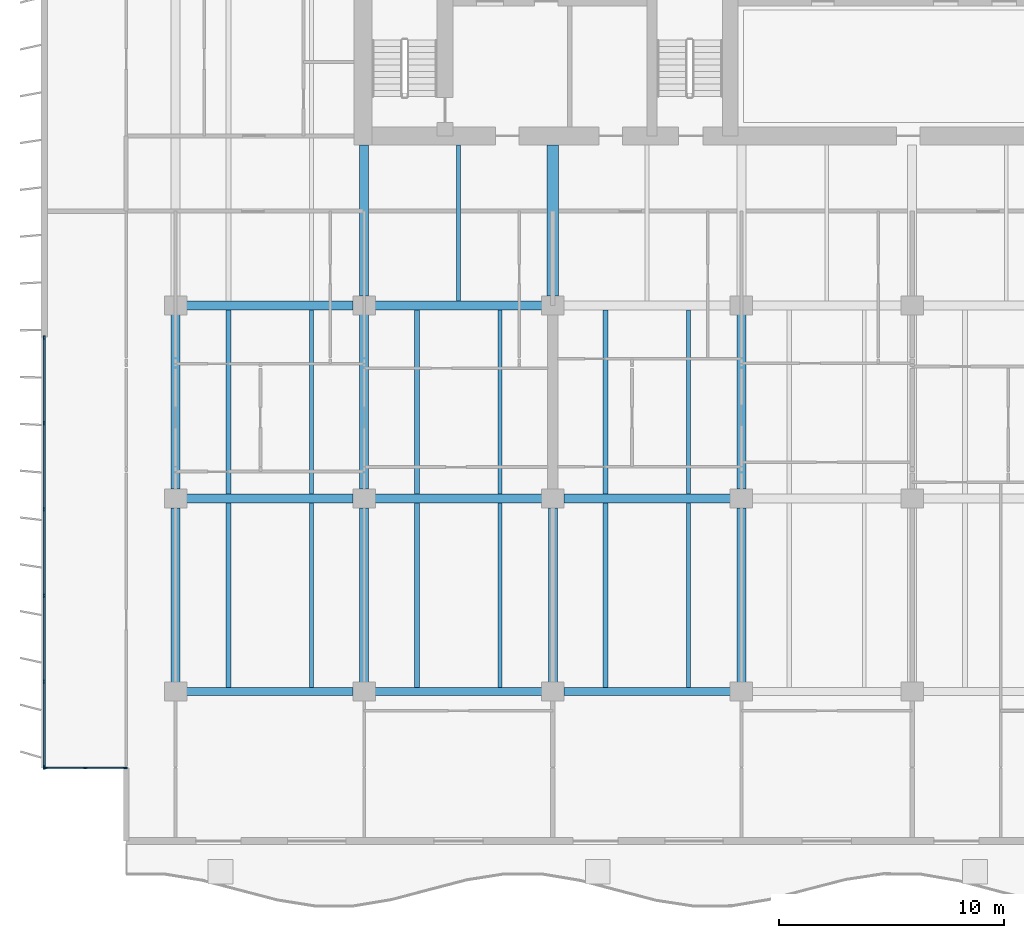
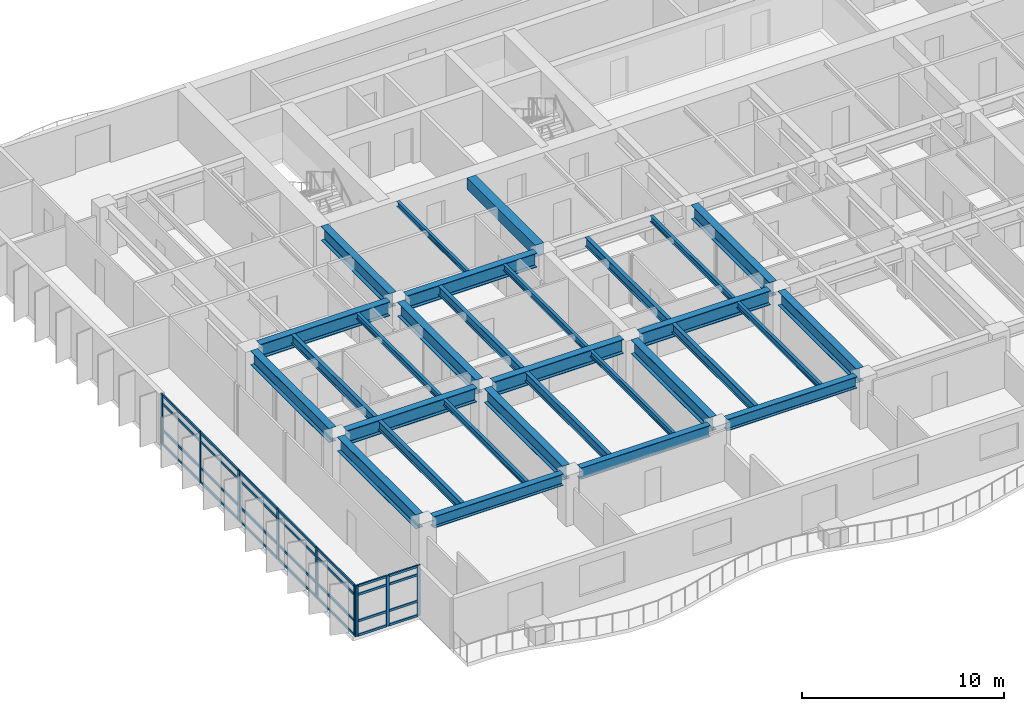
# One storey, part 2 of 19: 37 members, 30 beams, 2 elements without a shape of their own.
"""IFC4 building model written with IfcOpenShell, lengths in metres."""

from ifc_helpers import new_model, si_unit, direction, frame, origin, origin_2d, place, context, subcontext, project, spatial, rectangle, i_section, extrude, material, layer, layer_set, material_profile, profile_set, type_object, element, aggregate, save


model = new_model("IFC4")

# Units and contexts
model_context = context("Model", 3, precision=1e-05, world=origin(), true_north=direction((0.0, 1.0)))
body_context = subcontext(model_context, "Body", "Model", "MODEL_VIEW")
ifc_project = project(units=[si_unit("LENGTHUNIT", "METRE"), si_unit("AREAUNIT", "SQUARE_METRE"), si_unit("VOLUMEUNIT", "CUBIC_METRE"), si_unit("PLANEANGLEUNIT", "RADIAN"), si_unit("MASSUNIT", "GRAM", prefix="KILO")], contexts=[model_context])

# Site, building, storey
site_placement = place(None, origin())
site = spatial("IfcSite", under=ifc_project, at=site_placement, CompositionType="ELEMENT")
building_placement = place(site_placement, origin())
building = spatial("IfcBuilding", under=site, at=building_placement, Name="Caelmar Bay Residences", CompositionType="ELEMENT")
storey_placement = place(building_placement, frame((0.0, 0.0, 112.5)))
storey = spatial("IfcBuildingStorey", under=building, at=storey_placement, Name="L30", CompositionType="ELEMENT", Elevation=112.5)

# Beams
ifc_material_1 = material(Name="Steel ASTM A992 Grade 50", Category="steel")
ifc_material_profile_1 = material_profile(ifc_material_1, i_section(OverallWidth=0.40087890625, OverallDepth=0.861083984375, WebThickness=0.019775390625, FlangeThickness=0.032470703125, FilletRadius=0.017822265625, at=origin_2d()), Name="W33X221")
ifc_profile_set_1 = profile_set([ifc_material_profile_1], Name="Steel ASTM A992 Grade 50")
beam_type_1 = type_object("IfcBeamType", Name="BM-GRD-W33X221", PredefinedType="BEAM", material=ifc_profile_set_1)
beam_1_placement = place(storey_placement, frame((10.389892578125, 20.800048828125, 2.619384765625), z_axis=(1.0, 0.0, 0.0), x_axis=(0.0, 1.0, 0.0)))
element("IfcBeam", 1, at=beam_1_placement, inside=storey, type_object=beam_type_1, Name="L30 East-West Girder Y=20.80 (9.9-18.3)", PredefinedType="BEAM", context=body_context, shape_type="SweptSolid", body=[
    extrude(i_section(OverallWidth=0.40087890625, OverallDepth=0.861083984375, WebThickness=0.019775390625, FlangeThickness=0.032470703125, FilletRadius=0.017822265625, at=origin_2d()), origin(), (0.0, 0.0, 1.0), 7.420166015625),
])
beam_2_placement = place(storey_placement, frame((18.7900390625, 20.800048828125, 2.619384765625), z_axis=(1.0, 0.0, 0.0), x_axis=(0.0, 1.0, 0.0)))
element("IfcBeam", 2, at=beam_2_placement, inside=storey, type_object=beam_type_1, Name="L30 East-West Girder Y=20.80 (18.3-26.7)", PredefinedType="BEAM", context=body_context, shape_type="SweptSolid", body=[
    extrude(i_section(OverallWidth=0.40087890625, OverallDepth=0.861083984375, WebThickness=0.019775390625, FlangeThickness=0.032470703125, FilletRadius=0.017822265625, at=origin_2d()), origin(), (0.0, 0.0, 1.0), 7.419921875),
])
for number, where, z_axis, x_axis, name in (
    (3, (27.18994140625, 20.800048828125, 2.619384765625), (1.0, 0.0, 0.0), (0.0, 1.0, 0.0), "L30 East-West Girder Y=20.80 (26.7-35.1)"),
    (4, (10.389892578125, 29.39990234375, 2.619384765625), (1.0, 0.0, 0.0), (0.0, 1.0, 0.0), "L30 East-West Girder Y=29.40 (9.9-18.3)"),
):
    element("IfcBeam", number, at=place(storey_placement, frame(where, z_axis=z_axis, x_axis=x_axis)), inside=storey, type_object=beam_type_1, Name=name, PredefinedType="BEAM", context=body_context, shape_type="SweptSolid", body=[
        extrude(i_section(OverallWidth=0.40087890625, OverallDepth=0.861083984375, WebThickness=0.019775390625, FlangeThickness=0.032470703125, FilletRadius=0.017822265625, at=origin_2d()), origin(), (0.0, 0.0, 1.0), 7.420166015625),
    ])
beam_3_placement = place(storey_placement, frame((18.7900390625, 29.39990234375, 2.619384765625), z_axis=(1.0, 0.0, 0.0), x_axis=(0.0, 1.0, 0.0)))
element("IfcBeam", 5, at=beam_3_placement, inside=storey, type_object=beam_type_1, Name="L30 East-West Girder Y=29.40 (18.3-26.7)", PredefinedType="BEAM", context=body_context, shape_type="SweptSolid", body=[
    extrude(i_section(OverallWidth=0.40087890625, OverallDepth=0.861083984375, WebThickness=0.019775390625, FlangeThickness=0.032470703125, FilletRadius=0.017822265625, at=origin_2d()), origin(), (0.0, 0.0, 1.0), 7.419921875),
])
for number, where, z_axis, x_axis, name in (
    (6, (9.89990234375, 12.614990234375, 2.619384765625), (0.0, 1.0, 0.0), (-1.0, 0.0, 0.0), "L30 North-South Girder X=9.90 (12.2-20.8)"),
    (7, (9.89990234375, 21.215087890625, 2.619384765625), (0.0, 1.0, 0.0), (-1.0, 0.0, 0.0), "L30 North-South Girder X=9.90 (20.8-29.4)"),
):
    element("IfcBeam", number, at=place(storey_placement, frame(where, z_axis=z_axis, x_axis=x_axis)), inside=storey, type_object=beam_type_1, Name=name, PredefinedType="BEAM", context=body_context, shape_type="SweptSolid", body=[
        extrude(i_section(OverallWidth=0.40087890625, OverallDepth=0.861083984375, WebThickness=0.019775390625, FlangeThickness=0.032470703125, FilletRadius=0.017822265625, at=origin_2d()), origin(), (0.0, 0.0, 1.0), 7.77001953125),
    ])
beam_4_placement = place(storey_placement, frame((18.300048828125, 29.81494140625, 2.619384765625), z_axis=(0.0, 1.0, 0.0), x_axis=(-1.0, 0.0, 0.0)))
element("IfcBeam", 8, at=beam_4_placement, inside=storey, type_object=beam_type_1, Name="L30 Core Tie Girder X=18.30", PredefinedType="BEAM", context=body_context, shape_type="SweptSolid", body=[
    extrude(i_section(OverallWidth=0.40087890625, OverallDepth=0.861083984375, WebThickness=0.019775390625, FlangeThickness=0.032470703125, FilletRadius=0.017822265625, at=origin_2d()), origin(), (0.0, 0.0, 1.0), 6.735107421875),
])
for number, where, z_axis, x_axis, name in (
    (9, (18.300048828125, 12.614990234375, 2.619384765625), (0.0, 1.0, 0.0), (-1.0, 0.0, 0.0), "L30 North-South Girder X=18.30 (12.2-20.8)"),
    (10, (18.300048828125, 21.215087890625, 2.619384765625), (0.0, 1.0, 0.0), (-1.0, 0.0, 0.0), "L30 North-South Girder X=18.30 (20.8-29.4)"),
    (11, (26.699951171875, 12.614990234375, 2.619384765625), (0.0, 1.0, 0.0), (-1.0, 0.0, 0.0), "L30 North-South Girder X=26.70 (12.2-20.8)"),
    (12, (35.10009765625, 12.614990234375, 2.619384765625), (0.0, 1.0, 0.0), (-1.0, 0.0, 0.0), "L30 North-South Girder X=35.10 (12.2-20.8)"),
    (13, (35.10009765625, 21.215087890625, 2.619384765625), (0.0, 1.0, 0.0), (-1.0, 0.0, 0.0), "L30 North-South Girder X=35.10 (20.8-29.4)"),
):
    element("IfcBeam", number, at=place(storey_placement, frame(where, z_axis=z_axis, x_axis=x_axis)), inside=storey, type_object=beam_type_1, Name=name, PredefinedType="BEAM", context=body_context, shape_type="SweptSolid", body=[
        extrude(i_section(OverallWidth=0.40087890625, OverallDepth=0.861083984375, WebThickness=0.019775390625, FlangeThickness=0.032470703125, FilletRadius=0.017822265625, at=origin_2d()), origin(), (0.0, 0.0, 1.0), 7.77001953125),
    ])
ifc_material_profile_2 = material_profile(ifc_material_1, i_section(OverallWidth=0.1650390625, OverallDepth=0.31005859375, WebThickness=0.005859375, FlangeThickness=0.009765625, FilletRadius=0.007568359375, at=origin_2d()), Name="W12X26")
ifc_profile_set_2 = profile_set([ifc_material_profile_2], Name="Steel ASTM A992 Grade 50")
beam_type_2 = type_object("IfcBeamType", Name="BM-JST-W12X26", PredefinedType="JOIST", material=ifc_profile_set_2)
beam_5_placement = place(storey_placement, frame((22.5, 29.6005859375, 2.89501953125), z_axis=(0.0, 1.0, 0.0), x_axis=(-1.0, 0.0, 0.0)))
element("IfcBeam", 14, at=beam_5_placement, inside=storey, type_object=beam_type_2, Name="L30 Core-Band Composite Joist 29", PredefinedType="JOIST", context=body_context, shape_type="SweptSolid", body=[
    extrude(i_section(OverallWidth=0.1650390625, OverallDepth=0.31005859375, WebThickness=0.005859375, FlangeThickness=0.009765625, FilletRadius=0.007568359375, at=origin_2d()), origin(), (0.0, 0.0, 1.0), 6.949462890625),
])
ifc_material_profile_3 = material_profile(ifc_material_1, i_section(OverallWidth=0.1708984375, OverallDepth=0.35595703125, WebThickness=0.007080078125, FlangeThickness=0.01171875, FilletRadius=0.007568359375, at=origin_2d()), Name="W14X34")
ifc_profile_set_3 = profile_set([ifc_material_profile_3], Name="Steel ASTM A992 Grade 50")
beam_type_3 = type_object("IfcBeamType", Name="BM-JST-W14X34", PredefinedType="JOIST", material=ifc_profile_set_3)
for number, where, z_axis, x_axis, name in (
    (15, (15.947998046875, 12.3779296875, 2.8720703125), (0.0, 1.0, 0.0), (-1.0, 0.0, 0.0), "L30 Composite Floor Joist 2"),
    (16, (24.347900390625, 12.3779296875, 2.8720703125), (0.0, 1.0, 0.0), (-1.0, 0.0, 0.0), "L30 Composite Floor Joist 4"),
    (17, (32.748046875, 12.3779296875, 2.8720703125), (0.0, 1.0, 0.0), (-1.0, 0.0, 0.0), "L30 Composite Floor Joist 6"),
):
    element("IfcBeam", number, at=place(storey_placement, frame(where, z_axis=z_axis, x_axis=x_axis)), inside=storey, type_object=beam_type_3, Name=name, PredefinedType="JOIST", context=body_context, shape_type="SweptSolid", body=[
        extrude(i_section(OverallWidth=0.1708984375, OverallDepth=0.35595703125, WebThickness=0.007080078125, FlangeThickness=0.01171875, FilletRadius=0.007568359375, at=origin_2d()), origin(), (0.0, 0.0, 1.0), 8.2216796875),
    ])
for number, where, z_axis, x_axis, name in (
    (18, (15.947998046875, 21.00048828125, 2.8720703125), (0.0, 1.0, 0.0), (-1.0, 0.0, 0.0), "L30 Composite Floor Joist 16"),
    (19, (24.347900390625, 21.00048828125, 2.8720703125), (0.0, 1.0, 0.0), (-1.0, 0.0, 0.0), "L30 Composite Floor Joist 18"),
    (20, (32.748046875, 21.00048828125, 2.8720703125), (0.0, 1.0, 0.0), (-1.0, 0.0, 0.0), "L30 Composite Floor Joist 20"),
):
    element("IfcBeam", number, at=place(storey_placement, frame(where, z_axis=z_axis, x_axis=x_axis)), inside=storey, type_object=beam_type_3, Name=name, PredefinedType="JOIST", context=body_context, shape_type="SweptSolid", body=[
        extrude(i_section(OverallWidth=0.1708984375, OverallDepth=0.35595703125, WebThickness=0.007080078125, FlangeThickness=0.01171875, FilletRadius=0.007568359375, at=origin_2d()), origin(), (0.0, 0.0, 1.0), 8.198974609375),
    ])
ifc_material_profile_4 = material_profile(ifc_material_1, i_section(OverallWidth=0.214111328125, OverallDepth=0.549072265625, WebThickness=0.0146484375, FlangeThickness=0.023681640625, FilletRadius=0.0126953125, at=origin_2d()), Name="W21X93")
ifc_profile_set_4 = profile_set([ifc_material_profile_4], Name="Steel ASTM A992 Grade 50")
beam_type_4 = type_object("IfcBeamType", Name="BM-JST-W21X93", PredefinedType="JOIST", material=ifc_profile_set_4)
for number, where, z_axis, x_axis, name in (
    (21, (12.251953125, 12.3779296875, 2.775390625), (0.0, 1.0, 0.0), (-1.0, 0.0, 0.0), "L30 Composite Floor Joist 1"),
    (22, (20.652099609375, 12.3779296875, 2.775390625), (0.0, 1.0, 0.0), (-1.0, 0.0, 0.0), "L30 Composite Floor Joist 3"),
    (23, (29.052001953125, 12.3779296875, 2.775390625), (0.0, 1.0, 0.0), (-1.0, 0.0, 0.0), "L30 Composite Floor Joist 5"),
):
    element("IfcBeam", number, at=place(storey_placement, frame(where, z_axis=z_axis, x_axis=x_axis)), inside=storey, type_object=beam_type_4, Name=name, PredefinedType="JOIST", context=body_context, shape_type="SweptSolid", body=[
        extrude(i_section(OverallWidth=0.214111328125, OverallDepth=0.549072265625, WebThickness=0.0146484375, FlangeThickness=0.023681640625, FilletRadius=0.0126953125, at=origin_2d()), origin(), (0.0, 0.0, 1.0), 8.2216796875),
    ])
for number, where, z_axis, x_axis, name in (
    (24, (12.251953125, 21.00048828125, 2.775390625), (0.0, 1.0, 0.0), (-1.0, 0.0, 0.0), "L30 Composite Floor Joist 15"),
    (25, (20.652099609375, 21.00048828125, 2.775390625), (0.0, 1.0, 0.0), (-1.0, 0.0, 0.0), "L30 Composite Floor Joist 17"),
    (26, (29.052001953125, 21.00048828125, 2.775390625), (0.0, 1.0, 0.0), (-1.0, 0.0, 0.0), "L30 Composite Floor Joist 19"),
):
    element("IfcBeam", number, at=place(storey_placement, frame(where, z_axis=z_axis, x_axis=x_axis)), inside=storey, type_object=beam_type_4, Name=name, PredefinedType="JOIST", context=body_context, shape_type="SweptSolid", body=[
        extrude(i_section(OverallWidth=0.214111328125, OverallDepth=0.549072265625, WebThickness=0.0146484375, FlangeThickness=0.023681640625, FilletRadius=0.0126953125, at=origin_2d()), origin(), (0.0, 0.0, 1.0), 8.198974609375),
    ])
ifc_material_2 = material(Name="Concrete f'c 55 MPa (8,000 psi)", Category="concrete")
ifc_material_profile_5 = material_profile(ifc_material_2, rectangle(XDim=0.5, YDim=0.699951171875, at=origin_2d()), Name="RC-BM-500X700")
ifc_profile_set_5 = profile_set([ifc_material_profile_5], Name="Concrete f'c 55 MPa (8,000 psi)")
beam_type_5 = type_object("IfcBeamType", Name="BM-RC-500X700", PredefinedType="LINTEL", material=ifc_profile_set_5)
beam_6_placement = place(storey_placement, frame((26.699951171875, 29.81494140625, 2.699951171875), z_axis=(0.0, 1.0, 0.0), x_axis=(-1.0, 0.0, 0.0)))
element("IfcBeam", 27, at=beam_6_placement, inside=storey, type_object=beam_type_5, Name="L30 Shear-Wall Corridor Coupling Lintel W5", PredefinedType="LINTEL", context=body_context, shape_type="SweptSolid", body=[
    extrude(rectangle(XDim=0.5, YDim=0.699951171875, at=origin_2d()), origin(), (0.0, 0.0, 1.0), 6.735107421875),
])
ifc_material_profile_6 = material_profile(ifc_material_1, i_section(OverallWidth=0.35595703125, OverallDepth=0.696044921875, WebThickness=0.015380859375, FlangeThickness=0.02490234375, FilletRadius=0.01513671875, at=origin_2d()), Name="W27X146")
ifc_profile_set_6 = profile_set([ifc_material_profile_6], Name="Steel ASTM A992 Grade 50")
beam_type_6 = type_object("IfcBeamType", Name="BM-SPN-W27X146", PredefinedType="SPANDREL", material=ifc_profile_set_6)
beam_7_placement = place(storey_placement, frame((10.389892578125, 12.199951171875, 2.701904296875), z_axis=(1.0, 0.0, 0.0), x_axis=(0.0, 1.0, 0.0)))
element("IfcBeam", 28, at=beam_7_placement, inside=storey, type_object=beam_type_6, Name="L30 East-West Girder Y=12.20 (9.9-18.3)", PredefinedType="SPANDREL", context=body_context, shape_type="SweptSolid", body=[
    extrude(i_section(OverallWidth=0.35595703125, OverallDepth=0.696044921875, WebThickness=0.015380859375, FlangeThickness=0.02490234375, FilletRadius=0.01513671875, at=origin_2d()), origin(), (0.0, 0.0, 1.0), 7.420166015625),
])
beam_8_placement = place(storey_placement, frame((18.7900390625, 12.199951171875, 2.701904296875), z_axis=(1.0, 0.0, 0.0), x_axis=(0.0, 1.0, 0.0)))
element("IfcBeam", 29, at=beam_8_placement, inside=storey, type_object=beam_type_6, Name="L30 East-West Girder Y=12.20 (18.3-26.7)", PredefinedType="SPANDREL", context=body_context, shape_type="SweptSolid", body=[
    extrude(i_section(OverallWidth=0.35595703125, OverallDepth=0.696044921875, WebThickness=0.015380859375, FlangeThickness=0.02490234375, FilletRadius=0.01513671875, at=origin_2d()), origin(), (0.0, 0.0, 1.0), 7.419921875),
])
beam_9_placement = place(storey_placement, frame((27.18994140625, 12.199951171875, 2.701904296875), z_axis=(1.0, 0.0, 0.0), x_axis=(0.0, 1.0, 0.0)))
element("IfcBeam", 30, at=beam_9_placement, inside=storey, type_object=beam_type_6, Name="L30 East-West Girder Y=12.20 (26.7-35.1)", PredefinedType="SPANDREL", context=body_context, shape_type="SweptSolid", body=[
    extrude(i_section(OverallWidth=0.35595703125, OverallDepth=0.696044921875, WebThickness=0.015380859375, FlangeThickness=0.02490234375, FilletRadius=0.01513671875, at=origin_2d()), origin(), (0.0, 0.0, 1.0), 7.420166015625),
])

# Curtain wall, members
ifc_material_3 = material(Name="Anodised bronze aluminium 6063-T6 and laminated glass", Category="aluminium")
ifc_layer_1 = layer(ifc_material_3, 0.179931640625)
ifc_layer_set_1 = layer_set([ifc_layer_1], Name="Anodised bronze aluminium 6063-T6 and laminated glass")
curtain_wall_type_1 = type_object("IfcCurtainWallType", Name="CW6-NTC", PredefinedType="NOTDEFINED", material=ifc_layer_set_1)
curtain_wall_1_placement = place(storey_placement, origin())
curtain_wall_1 = element("IfcCurtainWall", 31, at=curtain_wall_1_placement, inside=storey, type_object=curtain_wall_type_1, Name="CW6 curtain wall L30", PredefinedType="NOTDEFINED")
ifc_material_4 = material(Name="Anodised bronze aluminium 6063-T6", Category="aluminium")
ifc_material_profile_7 = material_profile(ifc_material_4, rectangle(XDim=0.080078125, YDim=0.179931640625, at=origin_2d()), Name="CWM-80X180")
ifc_profile_set_7 = profile_set([ifc_material_profile_7], Name="Anodised bronze aluminium 6063-T6")
member_type_1 = type_object("IfcMemberType", Name="CWM-180", PredefinedType="MULLION", material=ifc_profile_set_7)
member_1_placement = place(storey_placement, frame((4.090087890625, 8.800048828125, 0.0), z_axis=(0.0, 0.0, 1.0), x_axis=(0.0, 1.0, 0.0)))
member_1 = element("IfcMember", 32, at=member_1_placement, type_object=member_type_1, Name="CW6 mullion 1", PredefinedType="MULLION", context=body_context, shape_type="SweptSolid", body=[
    extrude(rectangle(XDim=0.080078125, YDim=0.179931640625, at=origin_2d()), origin(), (0.0, 0.0, 1.0), 3.050048828125),
])
member_2_placement = place(storey_placement, frame((5.875, 8.800048828125, 0.0), z_axis=(0.0, 0.0, 1.0), x_axis=(0.0, 1.0, 0.0)))
member_2 = element("IfcMember", 33, at=member_2_placement, type_object=member_type_1, Name="CW6 mullion 2", PredefinedType="MULLION", context=body_context, shape_type="SweptSolid", body=[
    extrude(rectangle(XDim=0.080078125, YDim=0.179931640625, at=origin_2d()), origin(), (0.0, 0.0, 1.0), 3.050048828125),
])
member_3_placement = place(storey_placement, frame((7.659912109375, 8.800048828125, 0.0), z_axis=(0.0, 0.0, 1.0), x_axis=(0.0, 1.0, 0.0)))
member_3 = element("IfcMember", 34, at=member_3_placement, type_object=member_type_1, Name="CW6 mullion 3", PredefinedType="MULLION", context=body_context, shape_type="SweptSolid", body=[
    extrude(rectangle(XDim=0.080078125, YDim=0.179931640625, at=origin_2d()), origin(), (0.0, 0.0, 1.0), 3.050048828125),
])

ifc_layer_2 = layer(ifc_material_3, 0.179931640625)
ifc_layer_set_2 = layer_set([ifc_layer_2], Name="Anodised bronze aluminium 6063-T6 and laminated glass")
curtain_wall_type_2 = type_object("IfcCurtainWallType", Name="CW3-Z2", PredefinedType="NOTDEFINED", material=ifc_layer_set_2)
curtain_wall_2_placement = place(storey_placement, origin())
curtain_wall_2 = element("IfcCurtainWall", 35, at=curtain_wall_2_placement, inside=storey, type_object=curtain_wall_type_2, Name="CW3 curtain wall L30", PredefinedType="NOTDEFINED")
member_4_placement = place(storey_placement, frame((4.050048828125, 8.840087890625, 0.0), z_axis=(0.0, 0.0, 1.0), x_axis=(-1.0, 0.0, 0.0)))
member_4 = element("IfcMember", 36, at=member_4_placement, type_object=member_type_1, Name="CW3 mullion 1", PredefinedType="MULLION", context=body_context, shape_type="SweptSolid", body=[
    extrude(rectangle(XDim=0.080078125, YDim=0.179931640625, at=origin_2d()), origin(), (0.0, 0.0, 1.0), 3.050048828125),
])
member_5_placement = place(storey_placement, frame((4.050048828125, 12.639892578125, 0.0), z_axis=(0.0, 0.0, 1.0), x_axis=(-1.0, 0.0, 0.0)))
member_5 = element("IfcMember", 37, at=member_5_placement, type_object=member_type_1, Name="CW3 mullion 2", PredefinedType="MULLION", context=body_context, shape_type="SweptSolid", body=[
    extrude(rectangle(XDim=0.080078125, YDim=0.179931640625, at=origin_2d()), origin(), (0.0, 0.0, 1.0), 3.050048828125),
])
member_6_placement = place(storey_placement, frame((4.050048828125, 16.47998046875, 0.0), z_axis=(0.0, 0.0, 1.0), x_axis=(-1.0, 0.0, 0.0)))
member_6 = element("IfcMember", 38, at=member_6_placement, type_object=member_type_1, Name="CW3 mullion 3", PredefinedType="MULLION", context=body_context, shape_type="SweptSolid", body=[
    extrude(rectangle(XDim=0.080078125, YDim=0.179931640625, at=origin_2d()), origin(), (0.0, 0.0, 1.0), 3.050048828125),
])
member_7_placement = place(storey_placement, frame((4.050048828125, 20.320068359375, 0.0), z_axis=(0.0, 0.0, 1.0), x_axis=(-1.0, 0.0, 0.0)))
member_7 = element("IfcMember", 39, at=member_7_placement, type_object=member_type_1, Name="CW3 mullion 4", PredefinedType="MULLION", context=body_context, shape_type="SweptSolid", body=[
    extrude(rectangle(XDim=0.080078125, YDim=0.179931640625, at=origin_2d()), origin(), (0.0, 0.0, 1.0), 3.050048828125),
])
member_8_placement = place(storey_placement, frame((4.050048828125, 24.159912109375, 0.0), z_axis=(0.0, 0.0, 1.0), x_axis=(-1.0, 0.0, 0.0)))
member_8 = element("IfcMember", 40, at=member_8_placement, type_object=member_type_1, Name="CW3 mullion 5", PredefinedType="MULLION", context=body_context, shape_type="SweptSolid", body=[
    extrude(rectangle(XDim=0.080078125, YDim=0.179931640625, at=origin_2d()), origin(), (0.0, 0.0, 1.0), 3.050048828125),
])
member_9_placement = place(storey_placement, frame((4.050048828125, 27.9599609375, 0.0), z_axis=(0.0, 0.0, 1.0), x_axis=(-1.0, 0.0, 0.0)))
member_9 = element("IfcMember", 41, at=member_9_placement, type_object=member_type_1, Name="CW3 mullion 6", PredefinedType="MULLION", context=body_context, shape_type="SweptSolid", body=[
    extrude(rectangle(XDim=0.080078125, YDim=0.179931640625, at=origin_2d()), origin(), (0.0, 0.0, 1.0), 3.050048828125),
])

# Member
ifc_material_profile_8 = material_profile(ifc_material_4, rectangle(XDim=0.080078125, YDim=0.139892578125, at=origin_2d()), Name="CWT-80X140")
ifc_profile_set_8 = profile_set([ifc_material_profile_8], Name="Anodised bronze aluminium 6063-T6")
member_type_2 = type_object("IfcMemberType", Name="CWT-140", PredefinedType="NOTDEFINED", material=ifc_profile_set_8)
member_10_placement = place(storey_placement, frame((4.1298828125, 8.800048828125, 0.0400390625), z_axis=(1.0, 0.0, 0.0), x_axis=(0.0, 1.0, 0.0)))
member_10 = element("IfcMember", 42, at=member_10_placement, type_object=member_type_2, Name="CW6 transom 1.1", ObjectType="TRANSOM", PredefinedType="USERDEFINED", context=body_context, shape_type="SweptSolid", body=[
    extrude(rectangle(XDim=0.080078125, YDim=0.139892578125, at=origin_2d()), origin(), (0.0, 0.0, 1.0), 1.705078125),
])

member_11_placement = place(storey_placement, frame((4.1298828125, 8.800048828125, 0.89990234375), z_axis=(1.0, 0.0, 0.0), x_axis=(0.0, 1.0, 0.0)))
member_11 = element("IfcMember", 43, at=member_11_placement, type_object=member_type_2, Name="CW6 transom 1.2", ObjectType="TRANSOM", PredefinedType="USERDEFINED", context=body_context, shape_type="SweptSolid", body=[
    extrude(rectangle(XDim=0.080078125, YDim=0.139892578125, at=origin_2d()), origin(), (0.0, 0.0, 1.0), 1.705078125),
])

member_12_placement = place(storey_placement, frame((4.1298828125, 8.800048828125, 2.5), z_axis=(1.0, 0.0, 0.0), x_axis=(0.0, 1.0, 0.0)))
member_12 = element("IfcMember", 44, at=member_12_placement, type_object=member_type_2, Name="CW6 transom 1.3", ObjectType="TRANSOM", PredefinedType="USERDEFINED", context=body_context, shape_type="SweptSolid", body=[
    extrude(rectangle(XDim=0.080078125, YDim=0.139892578125, at=origin_2d()), origin(), (0.0, 0.0, 1.0), 1.705078125),
])

member_13_placement = place(storey_placement, frame((4.1298828125, 8.800048828125, 3.010009765625), z_axis=(1.0, 0.0, 0.0), x_axis=(0.0, 1.0, 0.0)))
member_13 = element("IfcMember", 45, at=member_13_placement, type_object=member_type_2, Name="CW6 transom 1.4", ObjectType="TRANSOM", PredefinedType="USERDEFINED", context=body_context, shape_type="SweptSolid", body=[
    extrude(rectangle(XDim=0.080078125, YDim=0.139892578125, at=origin_2d()), origin(), (0.0, 0.0, 1.0), 1.705078125),
])

member_14_placement = place(storey_placement, frame((5.9150390625, 8.800048828125, 0.0400390625), z_axis=(1.0, 0.0, 0.0), x_axis=(0.0, 1.0, 0.0)))
member_14 = element("IfcMember", 46, at=member_14_placement, type_object=member_type_2, Name="CW6 transom 2.1", ObjectType="TRANSOM", PredefinedType="USERDEFINED", context=body_context, shape_type="SweptSolid", body=[
    extrude(rectangle(XDim=0.080078125, YDim=0.139892578125, at=origin_2d()), origin(), (0.0, 0.0, 1.0), 1.705078125),
])

member_15_placement = place(storey_placement, frame((5.9150390625, 8.800048828125, 0.89990234375), z_axis=(1.0, 0.0, 0.0), x_axis=(0.0, 1.0, 0.0)))
member_15 = element("IfcMember", 47, at=member_15_placement, type_object=member_type_2, Name="CW6 transom 2.2", ObjectType="TRANSOM", PredefinedType="USERDEFINED", context=body_context, shape_type="SweptSolid", body=[
    extrude(rectangle(XDim=0.080078125, YDim=0.139892578125, at=origin_2d()), origin(), (0.0, 0.0, 1.0), 1.705078125),
])

member_16_placement = place(storey_placement, frame((5.9150390625, 8.800048828125, 2.5), z_axis=(1.0, 0.0, 0.0), x_axis=(0.0, 1.0, 0.0)))
member_16 = element("IfcMember", 48, at=member_16_placement, type_object=member_type_2, Name="CW6 transom 2.3", ObjectType="TRANSOM", PredefinedType="USERDEFINED", context=body_context, shape_type="SweptSolid", body=[
    extrude(rectangle(XDim=0.080078125, YDim=0.139892578125, at=origin_2d()), origin(), (0.0, 0.0, 1.0), 1.705078125),
])

member_17_placement = place(storey_placement, frame((5.9150390625, 8.800048828125, 3.010009765625), z_axis=(1.0, 0.0, 0.0), x_axis=(0.0, 1.0, 0.0)))
member_17 = element("IfcMember", 49, at=member_17_placement, type_object=member_type_2, Name="CW6 transom 2.4", ObjectType="TRANSOM", PredefinedType="USERDEFINED", context=body_context, shape_type="SweptSolid", body=[
    extrude(rectangle(XDim=0.080078125, YDim=0.139892578125, at=origin_2d()), origin(), (0.0, 0.0, 1.0), 1.705078125),
])

aggregate(curtain_wall_1, [member_1, member_2, member_3, member_10, member_11, member_12, member_13, member_14, member_15, member_16, member_17])

member_18_placement = place(storey_placement, frame((4.050048828125, 8.8798828125, 0.0400390625), z_axis=(0.0, 1.0, 0.0), x_axis=(-1.0, 0.0, 0.0)))
member_18 = element("IfcMember", 50, at=member_18_placement, type_object=member_type_2, Name="CW3 transom 1.1", ObjectType="TRANSOM", PredefinedType="USERDEFINED", context=body_context, shape_type="SweptSolid", body=[
    extrude(rectangle(XDim=0.080078125, YDim=0.139892578125, at=origin_2d()), origin(), (0.0, 0.0, 1.0), 3.72021484375),
])

member_19_placement = place(storey_placement, frame((4.050048828125, 8.8798828125, 0.89990234375), z_axis=(0.0, 1.0, 0.0), x_axis=(-1.0, 0.0, 0.0)))
member_19 = element("IfcMember", 51, at=member_19_placement, type_object=member_type_2, Name="CW3 transom 1.2", ObjectType="TRANSOM", PredefinedType="USERDEFINED", context=body_context, shape_type="SweptSolid", body=[
    extrude(rectangle(XDim=0.080078125, YDim=0.139892578125, at=origin_2d()), origin(), (0.0, 0.0, 1.0), 3.72021484375),
])

member_20_placement = place(storey_placement, frame((4.050048828125, 8.8798828125, 2.5), z_axis=(0.0, 1.0, 0.0), x_axis=(-1.0, 0.0, 0.0)))
member_20 = element("IfcMember", 52, at=member_20_placement, type_object=member_type_2, Name="CW3 transom 1.3", ObjectType="TRANSOM", PredefinedType="USERDEFINED", context=body_context, shape_type="SweptSolid", body=[
    extrude(rectangle(XDim=0.080078125, YDim=0.139892578125, at=origin_2d()), origin(), (0.0, 0.0, 1.0), 3.72021484375),
])

member_21_placement = place(storey_placement, frame((4.050048828125, 8.8798828125, 3.010009765625), z_axis=(0.0, 1.0, 0.0), x_axis=(-1.0, 0.0, 0.0)))
member_21 = element("IfcMember", 53, at=member_21_placement, type_object=member_type_2, Name="CW3 transom 1.4", ObjectType="TRANSOM", PredefinedType="USERDEFINED", context=body_context, shape_type="SweptSolid", body=[
    extrude(rectangle(XDim=0.080078125, YDim=0.139892578125, at=origin_2d()), origin(), (0.0, 0.0, 1.0), 3.72021484375),
])

member_22_placement = place(storey_placement, frame((4.050048828125, 12.679931640625, 0.0400390625), z_axis=(0.0, 1.0, 0.0), x_axis=(-1.0, 0.0, 0.0)))
member_22 = element("IfcMember", 54, at=member_22_placement, type_object=member_type_2, Name="CW3 transom 2.1", ObjectType="TRANSOM", PredefinedType="USERDEFINED", context=body_context, shape_type="SweptSolid", body=[
    extrude(rectangle(XDim=0.080078125, YDim=0.139892578125, at=origin_2d()), origin(), (0.0, 0.0, 1.0), 3.760009765625),
])

member_23_placement = place(storey_placement, frame((4.050048828125, 12.679931640625, 0.89990234375), z_axis=(0.0, 1.0, 0.0), x_axis=(-1.0, 0.0, 0.0)))
member_23 = element("IfcMember", 55, at=member_23_placement, type_object=member_type_2, Name="CW3 transom 2.2", ObjectType="TRANSOM", PredefinedType="USERDEFINED", context=body_context, shape_type="SweptSolid", body=[
    extrude(rectangle(XDim=0.080078125, YDim=0.139892578125, at=origin_2d()), origin(), (0.0, 0.0, 1.0), 3.760009765625),
])

member_24_placement = place(storey_placement, frame((4.050048828125, 12.679931640625, 2.5), z_axis=(0.0, 1.0, 0.0), x_axis=(-1.0, 0.0, 0.0)))
member_24 = element("IfcMember", 56, at=member_24_placement, type_object=member_type_2, Name="CW3 transom 2.3", ObjectType="TRANSOM", PredefinedType="USERDEFINED", context=body_context, shape_type="SweptSolid", body=[
    extrude(rectangle(XDim=0.080078125, YDim=0.139892578125, at=origin_2d()), origin(), (0.0, 0.0, 1.0), 3.760009765625),
])

member_25_placement = place(storey_placement, frame((4.050048828125, 12.679931640625, 3.010009765625), z_axis=(0.0, 1.0, 0.0), x_axis=(-1.0, 0.0, 0.0)))
member_25 = element("IfcMember", 57, at=member_25_placement, type_object=member_type_2, Name="CW3 transom 2.4", ObjectType="TRANSOM", PredefinedType="USERDEFINED", context=body_context, shape_type="SweptSolid", body=[
    extrude(rectangle(XDim=0.080078125, YDim=0.139892578125, at=origin_2d()), origin(), (0.0, 0.0, 1.0), 3.760009765625),
])

member_26_placement = place(storey_placement, frame((4.050048828125, 16.52001953125, 0.0400390625), z_axis=(0.0, 1.0, 0.0), x_axis=(-1.0, 0.0, 0.0)))
member_26 = element("IfcMember", 58, at=member_26_placement, type_object=member_type_2, Name="CW3 transom 3.1", ObjectType="TRANSOM", PredefinedType="USERDEFINED", context=body_context, shape_type="SweptSolid", body=[
    extrude(rectangle(XDim=0.080078125, YDim=0.139892578125, at=origin_2d()), origin(), (0.0, 0.0, 1.0), 3.760009765625),
])

member_27_placement = place(storey_placement, frame((4.050048828125, 16.52001953125, 0.89990234375), z_axis=(0.0, 1.0, 0.0), x_axis=(-1.0, 0.0, 0.0)))
member_27 = element("IfcMember", 59, at=member_27_placement, type_object=member_type_2, Name="CW3 transom 3.2", ObjectType="TRANSOM", PredefinedType="USERDEFINED", context=body_context, shape_type="SweptSolid", body=[
    extrude(rectangle(XDim=0.080078125, YDim=0.139892578125, at=origin_2d()), origin(), (0.0, 0.0, 1.0), 3.760009765625),
])

member_28_placement = place(storey_placement, frame((4.050048828125, 16.52001953125, 2.5), z_axis=(0.0, 1.0, 0.0), x_axis=(-1.0, 0.0, 0.0)))
member_28 = element("IfcMember", 60, at=member_28_placement, type_object=member_type_2, Name="CW3 transom 3.3", ObjectType="TRANSOM", PredefinedType="USERDEFINED", context=body_context, shape_type="SweptSolid", body=[
    extrude(rectangle(XDim=0.080078125, YDim=0.139892578125, at=origin_2d()), origin(), (0.0, 0.0, 1.0), 3.760009765625),
])

member_29_placement = place(storey_placement, frame((4.050048828125, 16.52001953125, 3.010009765625), z_axis=(0.0, 1.0, 0.0), x_axis=(-1.0, 0.0, 0.0)))
member_29 = element("IfcMember", 61, at=member_29_placement, type_object=member_type_2, Name="CW3 transom 3.4", ObjectType="TRANSOM", PredefinedType="USERDEFINED", context=body_context, shape_type="SweptSolid", body=[
    extrude(rectangle(XDim=0.080078125, YDim=0.139892578125, at=origin_2d()), origin(), (0.0, 0.0, 1.0), 3.760009765625),
])

member_30_placement = place(storey_placement, frame((4.050048828125, 20.360107421875, 0.0400390625), z_axis=(0.0, 1.0, 0.0), x_axis=(-1.0, 0.0, 0.0)))
member_30 = element("IfcMember", 62, at=member_30_placement, type_object=member_type_2, Name="CW3 transom 4.1", ObjectType="TRANSOM", PredefinedType="USERDEFINED", context=body_context, shape_type="SweptSolid", body=[
    extrude(rectangle(XDim=0.080078125, YDim=0.139892578125, at=origin_2d()), origin(), (0.0, 0.0, 1.0), 3.760009765625),
])

member_31_placement = place(storey_placement, frame((4.050048828125, 20.360107421875, 0.89990234375), z_axis=(0.0, 1.0, 0.0), x_axis=(-1.0, 0.0, 0.0)))
member_31 = element("IfcMember", 63, at=member_31_placement, type_object=member_type_2, Name="CW3 transom 4.2", ObjectType="TRANSOM", PredefinedType="USERDEFINED", context=body_context, shape_type="SweptSolid", body=[
    extrude(rectangle(XDim=0.080078125, YDim=0.139892578125, at=origin_2d()), origin(), (0.0, 0.0, 1.0), 3.760009765625),
])

member_32_placement = place(storey_placement, frame((4.050048828125, 20.360107421875, 2.5), z_axis=(0.0, 1.0, 0.0), x_axis=(-1.0, 0.0, 0.0)))
member_32 = element("IfcMember", 64, at=member_32_placement, type_object=member_type_2, Name="CW3 transom 4.3", ObjectType="TRANSOM", PredefinedType="USERDEFINED", context=body_context, shape_type="SweptSolid", body=[
    extrude(rectangle(XDim=0.080078125, YDim=0.139892578125, at=origin_2d()), origin(), (0.0, 0.0, 1.0), 3.760009765625),
])

member_33_placement = place(storey_placement, frame((4.050048828125, 20.360107421875, 3.010009765625), z_axis=(0.0, 1.0, 0.0), x_axis=(-1.0, 0.0, 0.0)))
member_33 = element("IfcMember", 65, at=member_33_placement, type_object=member_type_2, Name="CW3 transom 4.4", ObjectType="TRANSOM", PredefinedType="USERDEFINED", context=body_context, shape_type="SweptSolid", body=[
    extrude(rectangle(XDim=0.080078125, YDim=0.139892578125, at=origin_2d()), origin(), (0.0, 0.0, 1.0), 3.760009765625),
])

member_34_placement = place(storey_placement, frame((4.050048828125, 24.199951171875, 0.0400390625), z_axis=(0.0, 1.0, 0.0), x_axis=(-1.0, 0.0, 0.0)))
member_34 = element("IfcMember", 66, at=member_34_placement, type_object=member_type_2, Name="CW3 transom 5.1", ObjectType="TRANSOM", PredefinedType="USERDEFINED", context=body_context, shape_type="SweptSolid", body=[
    extrude(rectangle(XDim=0.080078125, YDim=0.139892578125, at=origin_2d()), origin(), (0.0, 0.0, 1.0), 3.719970703125),
])

member_35_placement = place(storey_placement, frame((4.050048828125, 24.199951171875, 0.89990234375), z_axis=(0.0, 1.0, 0.0), x_axis=(-1.0, 0.0, 0.0)))
member_35 = element("IfcMember", 67, at=member_35_placement, type_object=member_type_2, Name="CW3 transom 5.2", ObjectType="TRANSOM", PredefinedType="USERDEFINED", context=body_context, shape_type="SweptSolid", body=[
    extrude(rectangle(XDim=0.080078125, YDim=0.139892578125, at=origin_2d()), origin(), (0.0, 0.0, 1.0), 3.719970703125),
])

member_36_placement = place(storey_placement, frame((4.050048828125, 24.199951171875, 2.5), z_axis=(0.0, 1.0, 0.0), x_axis=(-1.0, 0.0, 0.0)))
member_36 = element("IfcMember", 68, at=member_36_placement, type_object=member_type_2, Name="CW3 transom 5.3", ObjectType="TRANSOM", PredefinedType="USERDEFINED", context=body_context, shape_type="SweptSolid", body=[
    extrude(rectangle(XDim=0.080078125, YDim=0.139892578125, at=origin_2d()), origin(), (0.0, 0.0, 1.0), 3.719970703125),
])

member_37_placement = place(storey_placement, frame((4.050048828125, 24.199951171875, 3.010009765625), z_axis=(0.0, 1.0, 0.0), x_axis=(-1.0, 0.0, 0.0)))
member_37 = element("IfcMember", 69, at=member_37_placement, type_object=member_type_2, Name="CW3 transom 5.4", ObjectType="TRANSOM", PredefinedType="USERDEFINED", context=body_context, shape_type="SweptSolid", body=[
    extrude(rectangle(XDim=0.080078125, YDim=0.139892578125, at=origin_2d()), origin(), (0.0, 0.0, 1.0), 3.719970703125),
])

aggregate(curtain_wall_2, [member_4, member_5, member_6, member_7, member_8, member_9, member_18, member_19, member_20, member_21, member_22, member_23, member_24, member_25, member_26, member_27, member_28, member_29, member_30, member_31, member_32, member_33, member_34, member_35, member_36, member_37])

save(model, "model.ifc")
